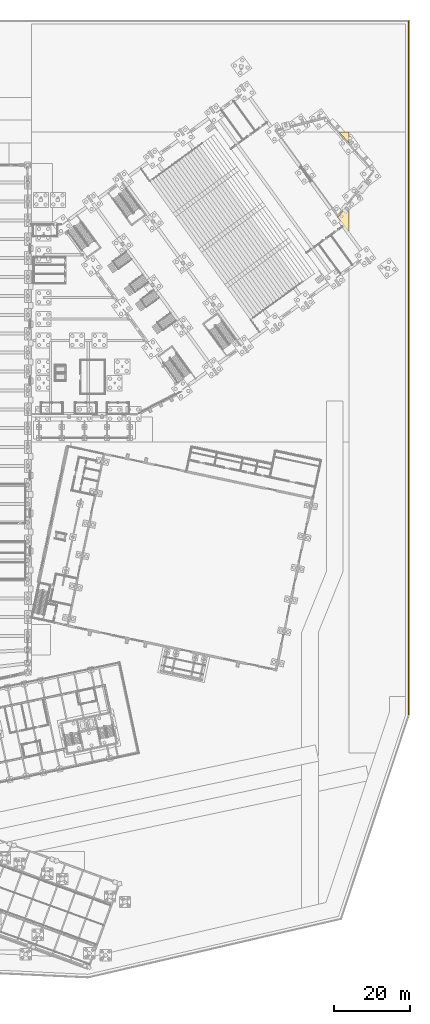
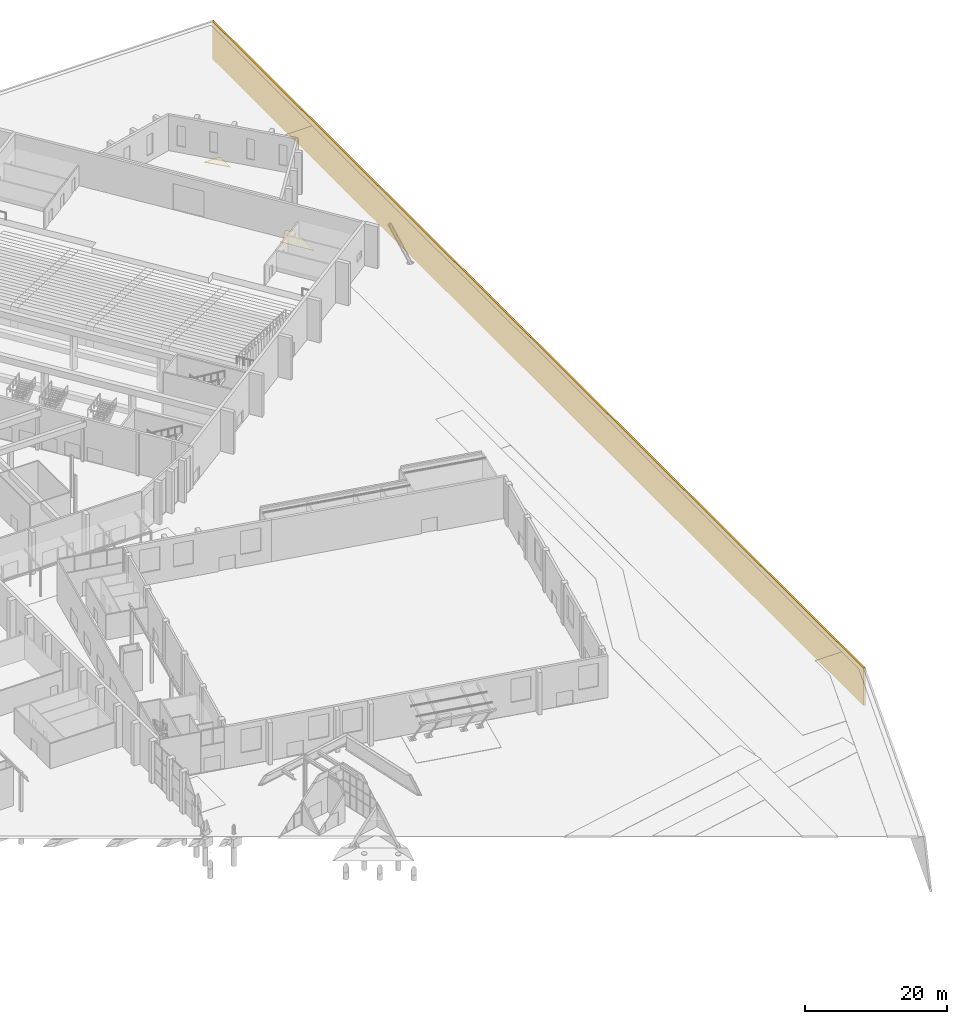
# One storey, part 238 of 239: 3 coverings.
"""IFC4 building model written with IfcOpenShell, lengths in metres."""

from ifc_helpers import new_model, si_unit, direction, frame, origin, place, context, subcontext, project, spatial, polyline, outline, extrude, material, layer, layer_set, type_object, element, save


model = new_model("IFC4")

# Units and contexts
model_context = context("Model", 3, precision=1e-05, world=origin(), true_north=direction((0.0, 1.0)))
body_context = subcontext(model_context, "Body", "Model", "MODEL_VIEW")
ifc_project = project(units=[si_unit("LENGTHUNIT", "METRE"), si_unit("AREAUNIT", "SQUARE_METRE"), si_unit("VOLUMEUNIT", "CUBIC_METRE"), si_unit("PLANEANGLEUNIT", "RADIAN"), si_unit("MASSUNIT", "GRAM", prefix="KILO")], contexts=[model_context])

# Site, building, storey
site_placement = place(None, origin())
site = spatial("IfcSite", under=ifc_project, at=site_placement, CompositionType="ELEMENT")
building_placement = place(site_placement, origin())
building = spatial("IfcBuilding", under=site, at=building_placement, Name="Okhra Congress Centre", CompositionType="ELEMENT")
storey_placement = place(building_placement, origin())
storey = spatial("IfcBuildingStorey", under=building, at=storey_placement, Name="L00", CompositionType="ELEMENT", Elevation=0.0)

# Coverings
ifc_material_1 = material(Name="Compacted engineered fill face with geotextile and turf")
ifc_layer_1 = layer(ifc_material_1, 0.300048828125)
ifc_layer_set_1 = layer_set([ifc_layer_1], Name="Site ground edge (engineered fill face)")
covering_type_1 = type_object("IfcCoveringType", Name="Site ground edge (engineered fill face)", PredefinedType="USERDEFINED", material=ifc_layer_set_1)
covering_1_placement = place(storey_placement, frame((0.0, 0.0, -6.5)))
element("IfcCovering", 1, at=covering_1_placement, inside=storey, type_object=covering_type_1, Name="Site ground edge (engineered fill face) 7", ObjectType="Site ground edge (engineered fill face)", PredefinedType="USERDEFINED", context=body_context, shape_type="SweptSolid", body=[
    extrude(outline(polyline([(290.0, 70.0), (290.0, 254.0), (289.699951171875, 253.699951171875), (289.699951171875, 70.048583984375), (290.0, 70.0)])), origin(), (0.0, 0.0, 1.0), 6.449951171875),
])
ifc_material_2 = material(Name="Compacted engineered fill with topsoil and grass or paving bed")
ifc_layer_2 = layer(ifc_material_2, 0.050048828125)
ifc_layer_set_2 = layer_set([ifc_layer_2], Name="Site ground surface (engineered fill and landscape)")
covering_type_2 = type_object("IfcCoveringType", Name="Site ground surface (engineered fill and landscape)", PredefinedType="FLOORING", material=ifc_layer_set_2)
covering_2_placement = place(storey_placement, frame((0.0, 0.0, -0.10009765625)))
element("IfcCovering", 2, at=covering_2_placement, inside=storey, type_object=covering_type_2, Name="Site ground surface (engineered fill and landscape) 21", PredefinedType="FLOORING", context=body_context, shape_type="SweptSolid", body=[
    extrude(outline(polyline([(273.99951171875, 203.91162109375), (273.658203125, 203.4853515625), (272.87744140625, 204.1103515625), (271.190185546875, 202.00244140625), (271.033935546875, 202.127685546875), (270.872802734375, 202.010498046875), (273.99951171875, 197.70751953125), (273.99951171875, 203.91162109375)])), origin(), (0.0, 0.0, 1.0), 0.050048828125),
])
covering_3_placement = place(storey_placement, frame((0.0, 0.0, -0.10009765625)))
element("IfcCovering", 3, at=covering_3_placement, inside=storey, type_object=covering_type_2, Name="Site ground surface (engineered fill and landscape) 24", PredefinedType="FLOORING", context=body_context, shape_type="SweptSolid", body=[
    extrude(outline(polyline([(273.99951171875, 224.3994140625), (271.34912109375, 224.3994140625), (273.99951171875, 221.45703125), (273.99951171875, 224.3994140625)])), origin(), (0.0, 0.0, 1.0), 0.050048828125),
])

save(model, "model.ifc")
